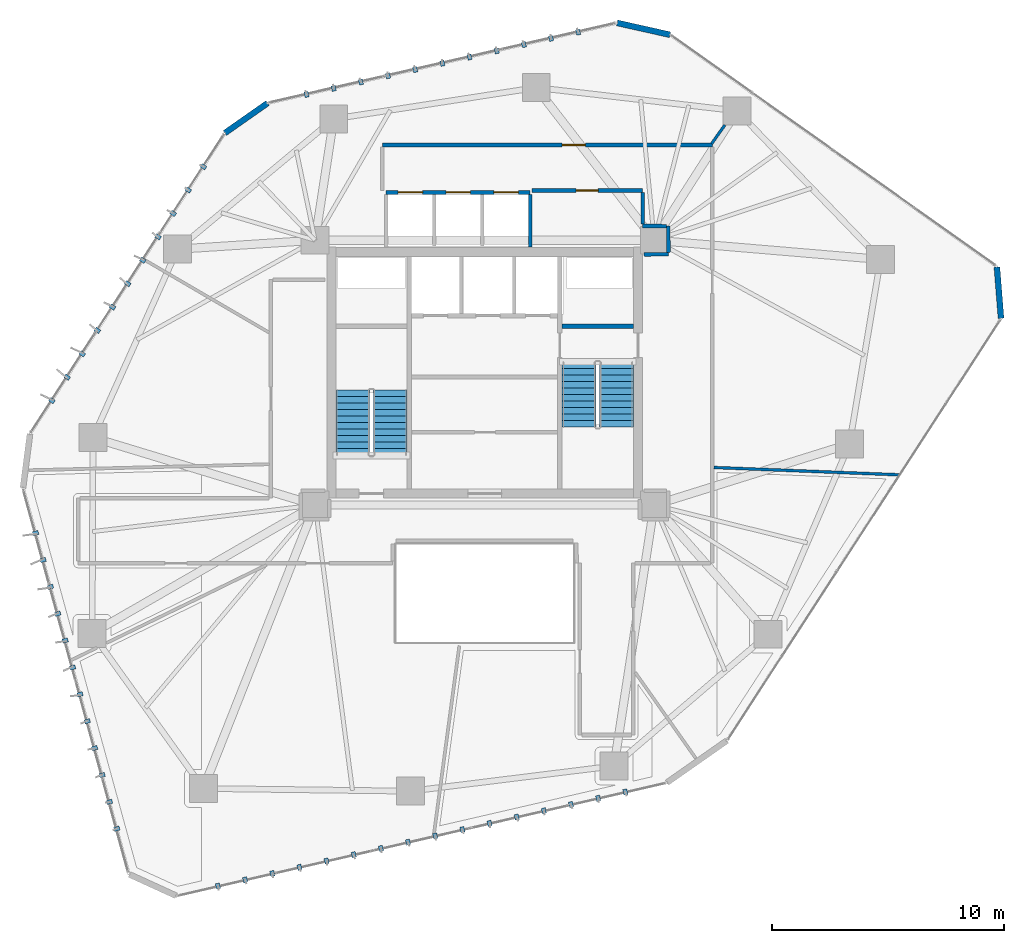
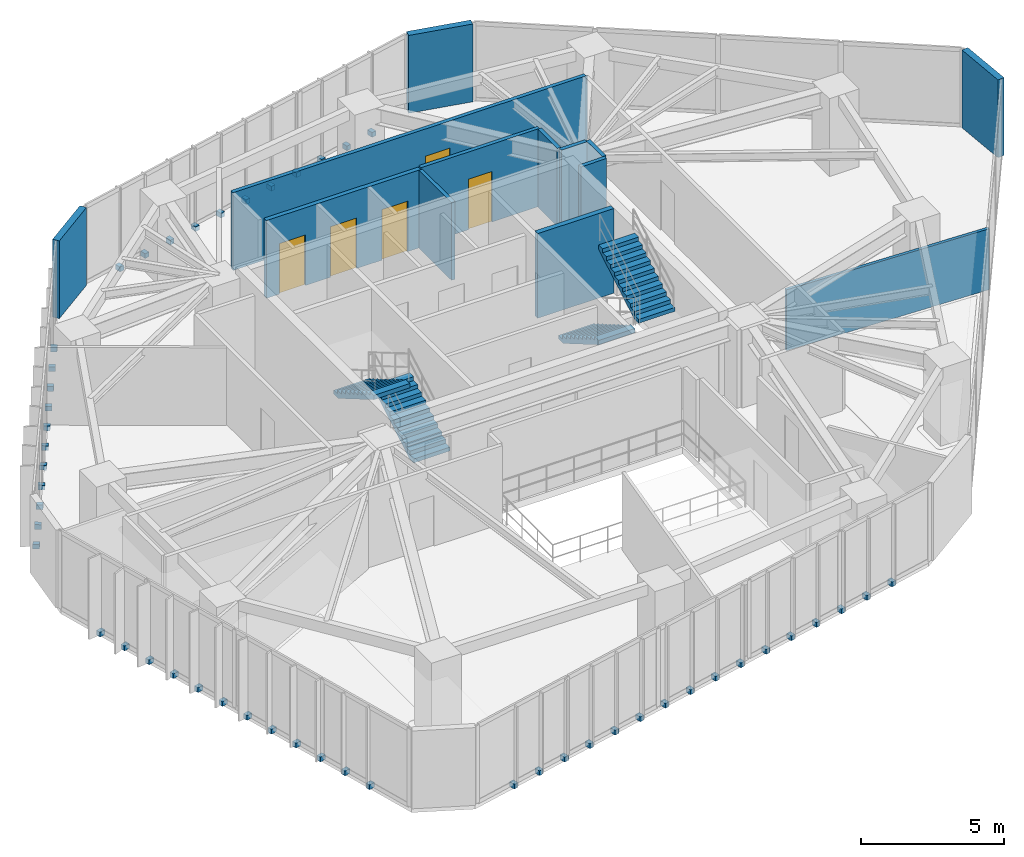
# One storey, part 18 of 21: 50 discrete accessories, 14 walls, 5 doors, 4 stair flights, 5 openings, 2 elements without a shape of their own.
"""IFC4 building model written with IfcOpenShell, lengths in metres."""

from ifc_helpers import new_model, si_unit, direction, frame, frame_2d, origin, origin_2d, place, context, subcontext, project, spatial, polyline, rectangle, outline, extrude, source, transform, mapped, material, layer, layer_set, type_object, type_shapes, element, fill, aggregate, save


model = new_model("IFC4")

# Units and contexts
model_context = context("Model", 3, precision=1e-05, world=origin(), true_north=direction((0.0, 1.0)))
body_context = subcontext(model_context, "Body", "Model", "MODEL_VIEW")
ifc_project = project(units=[si_unit("LENGTHUNIT", "METRE"), si_unit("AREAUNIT", "SQUARE_METRE"), si_unit("VOLUMEUNIT", "CUBIC_METRE"), si_unit("PLANEANGLEUNIT", "RADIAN"), si_unit("MASSUNIT", "GRAM", prefix="KILO")], contexts=[model_context])

# Site, building, storey
site_placement = place(None, origin())
site = spatial("IfcSite", under=ifc_project, at=site_placement, CompositionType="ELEMENT")
building_placement = place(site_placement, origin())
building = spatial("IfcBuilding", under=site, at=building_placement, Name="Talar Marvaseh", CompositionType="ELEMENT")
storey_placement = place(building_placement, frame((0.0, 0.0, 129.0)))
storey = spatial("IfcBuildingStorey", under=building, at=storey_placement, Name="L33", CompositionType="ELEMENT", Elevation=129.0)

# Walls
ifc_material_1 = material(Name="Precast concrete C45/55", Category="concrete")
ifc_layer_1 = layer(ifc_material_1, 0.2548828125)
ifc_layer_set_1 = layer_set([ifc_layer_1], Name="Precast concrete C45/55")
wall_type_1 = type_object("IfcWallType", Name="Chamfered Hexagonal Corner Pier Wall Z2 255", PredefinedType="SOLIDWALL", material=ifc_layer_set_1)
wall_1_placement = place(storey_placement, frame((14.815185546875, 41.5166015625, 0.0), z_axis=(0.0, 0.0, 1.0), x_axis=(0.819099063933, 0.573652092704, 0.0)))
element("IfcWall", 1, at=wall_1_placement, inside=storey, type_object=wall_type_1, Name="L33 Chamfered Corner Limestone Pier 3", PredefinedType="SOLIDWALL", context=body_context, shape_type="SweptSolid", body=[
    extrude(rectangle(XDim=2.244873046875, YDim=0.2548828125, at=frame_2d((1.12255859375, 0.0))), origin(), (0.0, 0.0, 1.0), 3.31005859375),
])
wall_2_placement = place(storey_placement, frame((31.701416015625, 46.258056640625, 0.0), z_axis=(0.0, 0.0, 1.0), x_axis=(0.975812598068, -0.218608722269, 0.0)))
element("IfcWall", 2, at=wall_2_placement, inside=storey, type_object=wall_type_1, Name="L33 Chamfered Corner Limestone Pier 4", PredefinedType="SOLIDWALL", context=body_context, shape_type="SweptSolid", body=[
    extrude(rectangle(XDim=2.3408203125, YDim=0.2548828125, at=frame_2d((1.17041015625, 0.0))), origin(), (0.0, 0.0, 1.0), 3.31005859375),
])
wall_3_placement = place(storey_placement, frame((48.054931640625, 35.7470703125, 0.0), z_axis=(0.0, 0.0, 1.0), x_axis=(0.079745222283, -0.996815278536, 0.0)))
element("IfcWall", 3, at=wall_3_placement, inside=storey, type_object=wall_type_1, Name="L33 Chamfered Corner Limestone Pier 5", PredefinedType="SOLIDWALL", context=body_context, shape_type="SweptSolid", body=[
    extrude(rectangle(XDim=2.216552734375, YDim=0.2548828125, at=frame_2d((1.1083984375, 0.0))), origin(), (0.0, 0.0, 1.0), 3.31005859375),
])

# Wall, opening, door
ifc_material_2 = material(Name="Gypsum Board Partition Assembly")
ifc_layer_2 = layer(ifc_material_2, 0.155029296875)
ifc_layer_set_2 = layer_set([ifc_layer_2], Name="Gypsum Board Partition Assembly")
wall_type_2 = type_object("IfcWallType", Name="Corridor Fire-Rated Acoustic Partition 155", PredefinedType="PARTITIONING", material=ifc_layer_set_2)
wall_4_placement = place(storey_placement, frame((32.800048828125, 39.0400390625, 0.0), z_axis=(0.0, 0.0, 1.0), x_axis=(-1.0, 0.0, 0.0)))
wall_4 = element("IfcWall", 4, at=wall_4_placement, inside=storey, type_object=wall_type_2, Name="L33 Interior Partition Wall", PredefinedType="PARTITIONING", context=body_context, shape_type="SweptSolid", body=[
    extrude(rectangle(XDim=4.77001953125, YDim=0.155029296875, at=frame_2d((2.385009765625, 0.0))), origin(), (0.0, 0.0, 1.0), 3.31005859375),
])
opening_1_placement = place(wall_4_placement, frame((1.909912109375, 0.0, 0.0)))
opening_1 = element("IfcOpeningElement", 5, at=opening_1_placement, cuts=wall_4, Name="Opening DR-WC095", PredefinedType="OPENING", context=body_context, shape_type="SweptSolid", body=[
    extrude(rectangle(XDim=0.949951171875, YDim=2.14990234375, at=frame_2d((0.47509765625, 1.074951171875))), frame((0.0, 0.08740234375, 0.0), z_axis=(0.0, -1.0, 0.0), x_axis=(1.0, 0.0, 0.0)), (0.0, 0.0, 1.0), 0.175048828125),
])
ifc_material_3 = material(Name="Acoustic Engineered Oak Timber", Category="wood")
door_type_1 = type_object("IfcDoorType", Name="Washroom and Service Room Door 950x2150", OperationType="NOTDEFINED", PredefinedType="DOOR", material=ifc_material_3)
shared_shape_1 = source(origin(), body_context, "Body", "SweptSolid", [
    extrude(rectangle(XDim=0.949951171875, YDim=2.14990234375, at=frame_2d((0.47509765625, 1.074951171875))), frame((0.0, 0.02490234375, 0.0), z_axis=(0.0, -1.0, 0.0), x_axis=(1.0, 0.0, 0.0)), (0.0, 0.0, 1.0), 0.050048828125),
])
type_shapes(door_type_1, [shared_shape_1])
door_1_placement = place(opening_1_placement, origin())
door_1 = element("IfcDoor", 6, at=door_1_placement, inside=storey, type_object=door_type_1, Name="L33 WC Public Washrooms Door", OperationType="SINGLE_SWING_LEFT", OverallHeight=2.14990234375, OverallWidth=0.949951171875, PredefinedType="DOOR", context=body_context, shape_type="MappedRepresentation", body=[
    mapped(shared_shape_1, transform((0.0, 0.0, 0.0), x_axis=(1.0, 0.0, 0.0), y_axis=(0.0, 1.0, 0.0), z_axis=(0.0, 0.0, 1.0), scale=1.0)),
])
fill(opening_1, door_1)

wall_5_placement = place(storey_placement, frame((21.60009765625, 41.0, 0.0), z_axis=(0.0, 0.0, 1.0), x_axis=(1.0, 0.0, 0.0)))
wall_5 = element("IfcWall", 7, at=wall_5_placement, inside=storey, type_object=wall_type_2, Name="L33 Interior Partition Wall", PredefinedType="PARTITIONING", context=body_context, shape_type="SweptSolid", body=[
    extrude(rectangle(XDim=14.199951171875, YDim=0.155029296875, at=frame_2d((7.10009765625, 0.0))), origin(), (0.0, 0.0, 1.0), 3.31005859375),
])
opening_2_placement = place(wall_5_placement, frame((7.736083984375, 0.0, 0.0)))
opening_2 = element("IfcOpeningElement", 8, at=opening_2_placement, cuts=wall_5, Name="Opening DR-RM100", PredefinedType="OPENING", context=body_context, shape_type="SweptSolid", body=[
    extrude(rectangle(XDim=1.0, YDim=2.14990234375, at=frame_2d((0.5, 1.074951171875))), frame((0.0, 0.08740234375, 0.0), z_axis=(0.0, -1.0, 0.0), x_axis=(1.0, 0.0, 0.0)), (0.0, 0.0, 1.0), 0.175048828125),
])
door_type_2 = type_object("IfcDoorType", Name="Corridor Fire-Rated Gallery Door 1000x2150", OperationType="NOTDEFINED", PredefinedType="DOOR", material=ifc_material_3)
shared_shape_2 = source(origin(), body_context, "Body", "SweptSolid", [
    extrude(rectangle(XDim=1.0, YDim=2.14990234375, at=frame_2d((0.5, 1.074951171875))), frame((0.0, 0.02490234375, 0.0), z_axis=(0.0, -1.0, 0.0), x_axis=(1.0, 0.0, 0.0)), (0.0, 0.0, 1.0), 0.050048828125),
])
type_shapes(door_type_2, [shared_shape_2])
door_2_placement = place(opening_2_placement, origin())
door_2 = element("IfcDoor", 9, at=door_2_placement, inside=storey, type_object=door_type_2, Name="L33 Cultural Fellowship Office Door", OperationType="SINGLE_SWING_RIGHT", OverallHeight=2.14990234375, OverallWidth=1.0, PredefinedType="DOOR", context=body_context, shape_type="MappedRepresentation", body=[
    mapped(shared_shape_2, transform((0.0, 0.0, 0.0), x_axis=(1.0, 0.0, 0.0), y_axis=(0.0, 1.0, 0.0), z_axis=(0.0, 0.0, 1.0), scale=1.0)),
])
fill(opening_2, door_2)

# Walls
wall_6_placement = place(storey_placement, frame((32.8701171875, 36.284912109375, 0.0), z_axis=(0.0, 0.0, 1.0), x_axis=(0.999895094683, 0.014484461652, 0.0)))
element("IfcWall", 10, at=wall_6_placement, inside=storey, type_object=wall_type_2, Name="L33 Interior Partition Wall", PredefinedType="PARTITIONING", context=body_context, shape_type="SweptSolid", body=[
    extrude(rectangle(XDim=1.044921875, YDim=0.155029296875, at=frame_2d((0.5224609375, 0.0))), origin(), (0.0, 0.0, 1.0), 3.31005859375),
])
wall_7_placement = place(storey_placement, frame((33.914794921875, 36.383544921875, 0.0), z_axis=(0.0, 0.0, 1.0), x_axis=(-0.003682817312, 0.999993218405, 0.0)))
element("IfcWall", 11, at=wall_7_placement, inside=storey, type_object=wall_type_2, Name="L33 Interior Partition Wall", PredefinedType="PARTITIONING", context=body_context, shape_type="SweptSolid", body=[
    extrude(rectangle(XDim=1.126953125, YDim=0.155029296875, at=frame_2d((0.5634765625, 0.0))), origin(), (0.0, 0.0, 1.0), 3.31005859375),
])
wall_8_placement = place(storey_placement, frame((33.8271484375, 37.510986328125, 0.0), z_axis=(0.0, 0.0, 1.0), x_axis=(-0.99999276797, 0.003803157663, 0.0)))
element("IfcWall", 12, at=wall_8_placement, inside=storey, type_object=wall_type_2, Name="L33 Interior Partition Wall", PredefinedType="PARTITIONING", context=body_context, shape_type="SweptSolid", body=[
    extrude(rectangle(XDim=1.027099609375, YDim=0.155029296875, at=frame_2d((0.513671875, 0.0))), origin(), (0.0, 0.0, 1.0), 3.31005859375),
])
wall_9_placement = place(storey_placement, frame((32.800048828125, 37.598388671875, 0.0), z_axis=(0.0, 0.0, 1.0), x_axis=(0.0, 1.0, 0.0)))
element("IfcWall", 13, at=wall_9_placement, inside=storey, type_object=wall_type_2, Name="L33 Interior Partition Wall", PredefinedType="PARTITIONING", context=body_context, shape_type="SweptSolid", body=[
    extrude(rectangle(XDim=1.358154296875, YDim=0.155029296875, at=frame_2d((0.67919921875, 0.0))), origin(), (0.0, 0.0, 1.0), 3.31005859375),
])
ifc_layer_3 = layer(ifc_material_2, 0.1201171875)
ifc_layer_set_3 = layer_set([ifc_layer_3], Name="Gypsum Board Partition Assembly")
wall_type_3 = type_object("IfcWallType", Name="Demountable Studio Room Partition 120", PredefinedType="PARTITIONING", material=ifc_layer_set_3)
wall_10_placement = place(storey_placement, frame((35.864990234375, 27.117431640625, 0.0), z_axis=(0.0, 0.0, 1.0), x_axis=(0.999219745317, -0.039495576558, 0.0)))
element("IfcWall", 14, at=wall_10_placement, inside=storey, type_object=wall_type_3, Name="L33 Interior Partition Wall", PredefinedType="PARTITIONING", context=body_context, shape_type="SweptSolid", body=[
    extrude(rectangle(XDim=7.986572265625, YDim=0.1201171875, at=frame_2d((3.9931640625, 0.0))), origin(), (0.0, 0.0, 1.0), 2.590087890625),
])
wall_11_placement = place(storey_placement, frame((35.767578125, 41.052978515625, 0.0), z_axis=(0.0, 0.0, 1.0), x_axis=(0.578551152371, 0.815646102234, 0.0)))
element("IfcWall", 15, at=wall_11_placement, inside=storey, type_object=wall_type_3, Name="L33 Interior Partition Wall", PredefinedType="PARTITIONING", context=body_context, shape_type="SweptSolid", body=[
    extrude(rectangle(XDim=0.989501953125, YDim=0.1201171875, at=frame_2d((0.49462890625, 0.0))), origin(), (0.0, 0.0, 1.0), 2.590087890625),
])
ifc_layer_4 = layer(ifc_material_1, 0.14501953125)
ifc_layer_set_4 = layer_set([ifc_layer_4], Name="Precast concrete C45/55")
wall_type_4 = type_object("IfcWallType", Name="Fire-Rated Lift Divider Wall 145", PredefinedType="SOLIDWALL", material=ifc_layer_set_4)
wall_12_placement = place(storey_placement, frame((27.9599609375, 36.60009765625, 0.0), z_axis=(0.0, 0.0, 1.0), x_axis=(0.0, 1.0, 0.0)))
element("IfcWall", 16, at=wall_12_placement, inside=storey, type_object=wall_type_4, Name="L33 Low-Rise Bank East Wall", PredefinedType="SOLIDWALL", context=body_context, shape_type="SweptSolid", body=[
    extrude(rectangle(XDim=2.266357421875, YDim=0.14501953125, at=frame_2d((1.13330078125, 0.0))), origin(), (0.0, 0.0, 1.0), 3.31005859375),
])

# Wall, openings, doors
ifc_layer_5 = layer(ifc_material_1, 0.175048828125)
ifc_layer_set_5 = layer_set([ifc_layer_5], Name="Precast concrete C45/55")
wall_type_5 = type_object("IfcWallType", Name="Fire-Rated Lift Hoistway Enclosure Wall 175", PredefinedType="SOLIDWALL", material=ifc_layer_set_5)
wall_13_placement = place(storey_placement, frame((21.760009765625, 38.9599609375, 0.0), z_axis=(0.0, 0.0, 1.0), x_axis=(1.0, 0.0, 0.0)))
wall_13 = element("IfcWall", 17, at=wall_13_placement, inside=storey, type_object=wall_type_5, Name="L33 Low-Rise Lift Bank Front Wall", PredefinedType="SOLIDWALL", context=body_context, shape_type="SweptSolid", body=[
    extrude(rectangle(XDim=6.199951171875, YDim=0.175048828125, at=frame_2d((3.10009765625, 0.0))), origin(), (0.0, 0.0, 1.0), 3.31005859375),
])
opening_3_placement = place(wall_13_placement, frame((0.52001953125, 0.0, 0.0)))
opening_3 = element("IfcOpeningElement", 18, at=opening_3_placement, cuts=wall_13, Name="Opening LD-PLL1", PredefinedType="OPENING", context=body_context, shape_type="SweptSolid", body=[
    extrude(rectangle(XDim=1.050048828125, YDim=2.14990234375, at=frame_2d((0.52490234375, 1.074951171875))), frame((0.0, 0.09765625, 0.0), z_axis=(0.0, -1.0, 0.0), x_axis=(1.0, 0.0, 0.0)), (0.0, 0.0, 1.0), 0.195068359375),
])
opening_4_placement = place(wall_13_placement, frame((2.580078125, 0.0, 0.0)))
opening_4 = element("IfcOpeningElement", 19, at=opening_4_placement, cuts=wall_13, Name="Opening LD-PLL2", PredefinedType="OPENING", context=body_context, shape_type="SweptSolid", body=[
    extrude(rectangle(XDim=1.050048828125, YDim=2.14990234375, at=frame_2d((0.52490234375, 1.074951171875))), frame((0.0, 0.09765625, 0.0), z_axis=(0.0, -1.0, 0.0), x_axis=(1.0, 0.0, 0.0)), (0.0, 0.0, 1.0), 0.195068359375),
])
opening_5_placement = place(wall_13_placement, frame((4.639892578125, 0.0, 0.0)))
opening_5 = element("IfcOpeningElement", 20, at=opening_5_placement, cuts=wall_13, Name="Opening LD-PLL3", PredefinedType="OPENING", context=body_context, shape_type="SweptSolid", body=[
    extrude(rectangle(XDim=1.050048828125, YDim=2.14990234375, at=frame_2d((0.52490234375, 1.074951171875))), frame((0.0, 0.09765625, 0.0), z_axis=(0.0, -1.0, 0.0), x_axis=(1.0, 0.0, 0.0)), (0.0, 0.0, 1.0), 0.195068359375),
])
ifc_material_4 = material(Name="Stainless Steel Grade 316", Category="steel")
door_type_3 = type_object("IfcDoorType", Name="Automatic Sliding Lift Landing Door 1050x2150", OperationType="NOTDEFINED", PredefinedType="DOOR", material=ifc_material_4)
shared_shape_3 = source(origin(), body_context, "Body", "SweptSolid", [
    extrude(rectangle(XDim=1.050048828125, YDim=2.14990234375, at=frame_2d((0.52490234375, 1.074951171875))), frame((0.0, 0.02490234375, 0.0), z_axis=(0.0, -1.0, 0.0), x_axis=(1.0, 0.0, 0.0)), (0.0, 0.0, 1.0), 0.050048828125),
])
type_shapes(door_type_3, [shared_shape_3])
door_3_placement = place(opening_3_placement, origin())
door_3 = element("IfcDoor", 21, at=door_3_placement, inside=storey, type_object=door_type_3, Name="L33 Lift PL-L1 Sliding Landing Door", OperationType="SLIDING_TO_LEFT", OverallHeight=2.14990234375, OverallWidth=1.050048828125, PredefinedType="DOOR", context=body_context, shape_type="MappedRepresentation", body=[
    mapped(shared_shape_3, transform((0.0, 0.0, 0.0), x_axis=(1.0, 0.0, 0.0), y_axis=(0.0, 1.0, 0.0), z_axis=(0.0, 0.0, 1.0), scale=1.0)),
])
fill(opening_3, door_3)
door_4_placement = place(opening_4_placement, origin())
door_4 = element("IfcDoor", 22, at=door_4_placement, inside=storey, type_object=door_type_3, Name="L33 Lift PL-L2 Sliding Landing Door", OperationType="SLIDING_TO_LEFT", OverallHeight=2.14990234375, OverallWidth=1.050048828125, PredefinedType="DOOR", context=body_context, shape_type="MappedRepresentation", body=[
    mapped(shared_shape_3, transform((0.0, 0.0, 0.0), x_axis=(1.0, 0.0, 0.0), y_axis=(0.0, 1.0, 0.0), z_axis=(0.0, 0.0, 1.0), scale=1.0)),
])
fill(opening_4, door_4)
door_5_placement = place(opening_5_placement, origin())
door_5 = element("IfcDoor", 23, at=door_5_placement, inside=storey, type_object=door_type_3, Name="L33 Lift PL-L3 Sliding Landing Door", OperationType="SLIDING_TO_LEFT", OverallHeight=2.14990234375, OverallWidth=1.050048828125, PredefinedType="DOOR", context=body_context, shape_type="MappedRepresentation", body=[
    mapped(shared_shape_3, transform((0.0, 0.0, 0.0), x_axis=(1.0, 0.0, 0.0), y_axis=(0.0, 1.0, 0.0), z_axis=(0.0, 0.0, 1.0), scale=1.0)),
])
fill(opening_5, door_5)

# Wall
ifc_material_5 = material(Name="Concrete C50/60", Category="concrete")
ifc_layer_6 = layer(ifc_material_5, 0.199951171875)
ifc_layer_set_6 = layer_set([ifc_layer_6], Name="Concrete C50/60")
wall_type_6 = type_object("IfcWallType", Name="Stair Shaft Structural Concrete Shear Wall 200", PredefinedType="SHEAR", material=ifc_layer_set_6)
wall_14_placement = place(storey_placement, frame((29.340087890625, 33.199951171875, 0.0), z_axis=(0.0, 0.0, 1.0), x_axis=(1.0, 0.0, 0.0)))
element("IfcWall", 24, at=wall_14_placement, inside=storey, type_object=wall_type_6, Name="L33 Stair ST-2 North Shear Wall", PredefinedType="SHEAR", context=body_context, shape_type="SweptSolid", body=[
    extrude(rectangle(XDim=3.059814453125, YDim=0.199951171875, at=frame_2d((1.52978515625, 0.0))), origin(), (0.0, 0.0, 1.0), 3.60009765625),
])

# Stair, stair flights
ifc_material_6 = material(Name="Concrete C40/50", Category="concrete")
stair_type = type_object("IfcStairType", Name="Reinforced Concrete Half-Turn Exit Stair Type B", PredefinedType="HALF_TURN_STAIR", material=ifc_material_6)
stair_1_placement = place(storey_placement, origin())
stair_1 = element("IfcStair", 25, at=stair_1_placement, inside=storey, type_object=stair_type, Name="L33 Tower West Core Exit Stair", PredefinedType="HALF_TURN_STAIR")
ifc_layer_7 = layer(ifc_material_6, 0.159912109375)
ifc_layer_set_7 = layer_set([ifc_layer_7], Name="Concrete C40/50")
stair_flight_type = type_object("IfcStairFlightType", Name="Reinforced Concrete Straight Stair Flight 160", PredefinedType="STRAIGHT", material=ifc_layer_set_7)
stair_flight_1_placement = place(storey_placement, frame((21.93505859375, 27.64990234375, 0.0), z_axis=(0.0, 0.0, 1.0), x_axis=(0.0, 1.0, 0.0)))
stair_flight_1 = element("IfcStairFlight", 26, at=stair_flight_1_placement, type_object=stair_flight_type, Name="ST-1 flight 1", NumberOfRisers=11, NumberOfTreads=10, PredefinedType="STRAIGHT", RiserHeight=0.163636364, TreadLength=0.28, context=body_context, shape_type="SweptSolid", body=[
    extrude(outline(polyline([(0.0, 0.0), (0.0, 0.16357421875), (0.280029296875, 0.16357421875), (0.280029296875, 0.327392578125), (0.56005859375, 0.327392578125), (0.56005859375, 0.490966796875), (0.840087890625, 0.490966796875), (0.840087890625, 0.654541015625), (1.1201171875, 0.654541015625), (1.1201171875, 0.818115234375), (1.39990234375, 0.818115234375), (1.39990234375, 0.98193359375), (1.679931640625, 0.98193359375), (1.679931640625, 1.1455078125), (1.9599609375, 1.1455078125), (1.9599609375, 1.30908203125), (2.239990234375, 1.30908203125), (2.239990234375, 1.47265625), (2.52001953125, 1.47265625), (2.52001953125, 1.636474609375), (2.800048828125, 1.636474609375), (2.800048828125, 1.800048828125), (2.800048828125, 1.451171875), (0.31689453125, 0.0), (0.0, 0.0)])), frame((0.0, 0.72509765625, 0.0), z_axis=(0.0, -1.0, 0.0), x_axis=(1.0, 0.0, 0.0)), (0.0, 0.0, 1.0), 1.449951171875),
])
stair_flight_2_placement = place(storey_placement, frame((20.324951171875, 30.449951171875, 1.800048828125), z_axis=(0.0, 0.0, 1.0), x_axis=(0.0, -1.0, 0.0)))
stair_flight_2 = element("IfcStairFlight", 27, at=stair_flight_2_placement, type_object=stair_flight_type, Name="ST-1 flight 2", NumberOfRisers=11, NumberOfTreads=10, PredefinedType="STRAIGHT", RiserHeight=0.163636364, TreadLength=0.28, context=body_context, shape_type="SweptSolid", body=[
    extrude(outline(polyline([(0.0, 0.0), (0.0, 0.16357421875), (0.280029296875, 0.16357421875), (0.280029296875, 0.327392578125), (0.56005859375, 0.327392578125), (0.56005859375, 0.490966796875), (0.840087890625, 0.490966796875), (0.840087890625, 0.654541015625), (1.1201171875, 0.654541015625), (1.1201171875, 0.818115234375), (1.39990234375, 0.818115234375), (1.39990234375, 0.98193359375), (1.679931640625, 0.98193359375), (1.679931640625, 1.1455078125), (1.9599609375, 1.1455078125), (1.9599609375, 1.30908203125), (2.239990234375, 1.30908203125), (2.239990234375, 1.47265625), (2.52001953125, 1.47265625), (2.52001953125, 1.636474609375), (2.800048828125, 1.636474609375), (2.800048828125, 1.800048828125), (2.800048828125, 1.451171875), (0.31689453125, 0.0), (0.0, 0.0)])), frame((0.0, 0.72509765625, 0.0), z_axis=(0.0, -1.0, 0.0), x_axis=(1.0, 0.0, 0.0)), (0.0, 0.0, 1.0), 1.449951171875),
])
aggregate(stair_1, [stair_flight_1, stair_flight_2])

stair_2_placement = place(storey_placement, origin())
stair_2 = element("IfcStair", 28, at=stair_2_placement, inside=storey, type_object=stair_type, Name="L33 Tower East Core Exit Stair", PredefinedType="HALF_TURN_STAIR")
stair_flight_3_placement = place(storey_placement, frame((30.06494140625, 31.64990234375, 0.0), z_axis=(0.0, 0.0, 1.0), x_axis=(0.0, -1.0, 0.0)))
stair_flight_3 = element("IfcStairFlight", 29, at=stair_flight_3_placement, type_object=stair_flight_type, Name="ST-2 flight 1", NumberOfRisers=11, NumberOfTreads=10, PredefinedType="STRAIGHT", RiserHeight=0.163636364, TreadLength=0.28, context=body_context, shape_type="SweptSolid", body=[
    extrude(outline(polyline([(0.0, 0.0), (0.0, 0.16357421875), (0.280029296875, 0.16357421875), (0.280029296875, 0.327392578125), (0.56005859375, 0.327392578125), (0.56005859375, 0.490966796875), (0.840087890625, 0.490966796875), (0.840087890625, 0.654541015625), (1.1201171875, 0.654541015625), (1.1201171875, 0.818115234375), (1.39990234375, 0.818115234375), (1.39990234375, 0.98193359375), (1.679931640625, 0.98193359375), (1.679931640625, 1.1455078125), (1.9599609375, 1.1455078125), (1.9599609375, 1.30908203125), (2.239990234375, 1.30908203125), (2.239990234375, 1.47265625), (2.52001953125, 1.47265625), (2.52001953125, 1.636474609375), (2.800048828125, 1.636474609375), (2.800048828125, 1.800048828125), (2.800048828125, 1.451171875), (0.31689453125, 0.0), (0.0, 0.0)])), frame((0.0, 0.72509765625, 0.0), z_axis=(0.0, -1.0, 0.0), x_axis=(1.0, 0.0, 0.0)), (0.0, 0.0, 1.0), 1.449951171875),
])
stair_flight_4_placement = place(storey_placement, frame((31.675048828125, 28.85009765625, 1.800048828125), z_axis=(0.0, 0.0, 1.0), x_axis=(0.0, 1.0, 0.0)))
stair_flight_4 = element("IfcStairFlight", 30, at=stair_flight_4_placement, type_object=stair_flight_type, Name="ST-2 flight 2", NumberOfRisers=11, NumberOfTreads=10, PredefinedType="STRAIGHT", RiserHeight=0.163636364, TreadLength=0.28, context=body_context, shape_type="SweptSolid", body=[
    extrude(outline(polyline([(0.0, 0.0), (0.0, 0.16357421875), (0.280029296875, 0.16357421875), (0.280029296875, 0.327392578125), (0.56005859375, 0.327392578125), (0.56005859375, 0.490966796875), (0.840087890625, 0.490966796875), (0.840087890625, 0.654541015625), (1.1201171875, 0.654541015625), (1.1201171875, 0.818115234375), (1.39990234375, 0.818115234375), (1.39990234375, 0.98193359375), (1.679931640625, 0.98193359375), (1.679931640625, 1.1455078125), (1.9599609375, 1.1455078125), (1.9599609375, 1.30908203125), (2.239990234375, 1.30908203125), (2.239990234375, 1.47265625), (2.52001953125, 1.47265625), (2.52001953125, 1.636474609375), (2.800048828125, 1.636474609375), (2.800048828125, 1.800048828125), (2.800048828125, 1.451171875), (0.31689453125, 0.0), (0.0, 0.0)])), frame((0.0, 0.72509765625, 0.0), z_axis=(0.0, -1.0, 0.0), x_axis=(1.0, 0.0, 0.0)), (0.0, 0.0, 1.0), 1.449951171875),
])
aggregate(stair_2, [stair_flight_3, stair_flight_4])

# Discrete accessories
discrete_accessory_type = type_object("IfcDiscreteAccessoryType", Name="Stainless Slab-Edge Fin Mounting Bracket", PredefinedType="BRACKET", material=ifc_material_4)
shared_shape_4 = source(origin(), body_context, "Body", "SweptSolid", [
    extrude(rectangle(XDim=0.239990234375, YDim=0.179931640625, at=origin_2d()), origin(), (0.0, 0.0, 1.0), 0.199951171875),
])
type_shapes(discrete_accessory_type, [shared_shape_4])
for number, where, z_axis, x_axis, name in (
    (31, (10.165283203125, 11.564208984375, -0.18017578125), (0.0, 0.0, 1.0), (-0.964326778534, -0.264714684522, 0.0), "L33 Vertical Fin Slab-Edge Bracket"),
    (32, (9.84765625, 12.721435546875, -0.18017578125), (0.0, 0.0, 1.0), (-0.964326778534, -0.264714684522, 0.0), "L33 Vertical Fin Slab-Edge Bracket"),
    (33, (9.530029296875, 13.87890625, -0.18017578125), (0.0, 0.0, 1.0), (-0.964326778534, -0.264714684522, 0.0), "L33 Vertical Fin Slab-Edge Bracket"),
    (34, (9.21240234375, 15.035888671875, -0.18017578125), (0.0, 0.0, 1.0), (-0.964326778534, -0.264714684522, 0.0), "L33 Vertical Fin Slab-Edge Bracket"),
    (35, (8.89501953125, 16.193115234375, -0.18017578125), (0.0, 0.0, 1.0), (-0.964326778534, -0.264714684522, 0.0), "L33 Vertical Fin Slab-Edge Bracket"),
    (36, (8.577392578125, 17.350341796875, -0.18017578125), (0.0, 0.0, 1.0), (-0.964326778534, -0.264714684522, 0.0), "L33 Vertical Fin Slab-Edge Bracket"),
    (37, (8.259765625, 18.507568359375, -0.18017578125), (0.0, 0.0, 1.0), (-0.964326778534, -0.264714684522, 0.0), "L33 Vertical Fin Slab-Edge Bracket"),
    (38, (7.942138671875, 19.664794921875, -0.18017578125), (0.0, 0.0, 1.0), (-0.964326778534, -0.264714684522, 0.0), "L33 Vertical Fin Slab-Edge Bracket"),
    (39, (7.62451171875, 20.822021484375, -0.18017578125), (0.0, 0.0, 1.0), (-0.964326778534, -0.264714684522, 0.0), "L33 Vertical Fin Slab-Edge Bracket"),
    (40, (7.30712890625, 21.979248046875, -0.18017578125), (0.0, 0.0, 1.0), (-0.964326778534, -0.264714684522, 0.0), "L33 Vertical Fin Slab-Edge Bracket"),
    (41, (6.989501953125, 23.136474609375, -0.18017578125), (0.0, 0.0, 1.0), (-0.964326778534, -0.264714684522, 0.0), "L33 Vertical Fin Slab-Edge Bracket"),
    (42, (6.671875, 24.293701171875, -0.18017578125), (0.0, 0.0, 1.0), (-0.964326778534, -0.264714684522, 0.0), "L33 Vertical Fin Slab-Edge Bracket"),
    (43, (7.37060546875, 29.994873046875, -0.18017578125), (0.0, 0.0, 1.0), (-0.839335343977, 0.543613999406, 0.0), "L33 Vertical Fin Slab-Edge Bracket"),
    (44, (8.02294921875, 31.001953125, -0.18017578125), (0.0, 0.0, 1.0), (-0.839335343977, 0.543613999406, 0.0), "L33 Vertical Fin Slab-Edge Bracket"),
    (45, (8.67529296875, 32.00927734375, -0.18017578125), (0.0, 0.0, 1.0), (-0.839335343977, 0.543613999406, 0.0), "L33 Vertical Fin Slab-Edge Bracket"),
    (46, (9.327880859375, 33.016357421875, -0.18017578125), (0.0, 0.0, 1.0), (-0.839335343977, 0.543613999406, 0.0), "L33 Vertical Fin Slab-Edge Bracket"),
    (47, (9.980224609375, 34.023681640625, -0.18017578125), (0.0, 0.0, 1.0), (-0.839335343977, 0.543613999406, 0.0), "L33 Vertical Fin Slab-Edge Bracket"),
    (48, (10.632568359375, 35.03076171875, -0.18017578125), (0.0, 0.0, 1.0), (-0.839335343977, 0.543613999406, 0.0), "L33 Vertical Fin Slab-Edge Bracket"),
    (49, (11.284912109375, 36.037841796875, -0.18017578125), (0.0, 0.0, 1.0), (-0.839335343977, 0.543613999406, 0.0), "L33 Vertical Fin Slab-Edge Bracket"),
    (50, (11.937255859375, 37.045166015625, -0.18017578125), (0.0, 0.0, 1.0), (-0.839335343977, 0.543613999406, 0.0), "L33 Vertical Fin Slab-Edge Bracket"),
    (51, (12.589599609375, 38.05224609375, -0.18017578125), (0.0, 0.0, 1.0), (-0.839335343977, 0.543613999406, 0.0), "L33 Vertical Fin Slab-Edge Bracket"),
    (52, (13.241943359375, 39.0595703125, -0.18017578125), (0.0, 0.0, 1.0), (-0.839335343977, 0.543613999406, 0.0), "L33 Vertical Fin Slab-Edge Bracket"),
    (53, (13.894287109375, 40.066650390625, -0.18017578125), (0.0, 0.0, 1.0), (-0.839335343977, 0.543613999406, 0.0), "L33 Vertical Fin Slab-Edge Bracket"),
    (54, (18.33154296875, 43.173583984375, -0.18017578125), (0.0, 0.0, 1.0), (-0.223760469153, 0.974644167091, 0.0), "L33 Vertical Fin Slab-Edge Bracket"),
    (55, (19.501220703125, 43.442138671875, -0.18017578125), (0.0, 0.0, 1.0), (-0.223760469153, 0.974644167091, 0.0), "L33 Vertical Fin Slab-Edge Bracket"),
    (56, (20.6708984375, 43.710693359375, -0.18017578125), (0.0, 0.0, 1.0), (-0.223760469153, 0.974644167091, 0.0), "L33 Vertical Fin Slab-Edge Bracket"),
    (57, (21.84033203125, 43.979248046875, -0.18017578125), (0.0, 0.0, 1.0), (-0.223760469153, 0.974644167091, 0.0), "L33 Vertical Fin Slab-Edge Bracket"),
    (58, (23.010009765625, 44.247802734375, -0.18017578125), (0.0, 0.0, 1.0), (-0.223760469153, 0.974644167091, 0.0), "L33 Vertical Fin Slab-Edge Bracket"),
    (59, (24.179443359375, 44.516357421875, -0.18017578125), (0.0, 0.0, 1.0), (-0.223760469153, 0.974644167091, 0.0), "L33 Vertical Fin Slab-Edge Bracket"),
    (60, (25.34912109375, 44.784912109375, -0.18017578125), (0.0, 0.0, 1.0), (-0.223760469153, 0.974644167091, 0.0), "L33 Vertical Fin Slab-Edge Bracket"),
    (61, (26.5185546875, 45.053466796875, -0.18017578125), (0.0, 0.0, 1.0), (-0.223760469153, 0.974644167091, 0.0), "L33 Vertical Fin Slab-Edge Bracket"),
    (62, (27.68798828125, 45.322021484375, -0.18017578125), (0.0, 0.0, 1.0), (-0.223760469153, 0.974644167091, 0.0), "L33 Vertical Fin Slab-Edge Bracket"),
    (63, (28.857666015625, 45.590576171875, -0.18017578125), (0.0, 0.0, 1.0), (-0.223760469153, 0.974644167091, 0.0), "L33 Vertical Fin Slab-Edge Bracket"),
    (64, (30.02734375, 45.859130859375, -0.18017578125), (0.0, 0.0, 1.0), (-0.223760469153, 0.974644167091, 0.0), "L33 Vertical Fin Slab-Edge Bracket"),
    (65, (32.057373046875, 13.148681640625, -0.18017578125), (0.0, 0.0, 1.0), (0.225121110574, -0.974330788579, 0.0), "L33 Vertical Fin Slab-Edge Bracket"),
    (66, (30.88818359375, 12.87841796875, -0.18017578125), (0.0, 0.0, 1.0), (0.225121110574, -0.974330788579, 0.0), "L33 Vertical Fin Slab-Edge Bracket"),
    (67, (29.718994140625, 12.6083984375, -0.18017578125), (0.0, 0.0, 1.0), (0.225121110574, -0.974330788579, 0.0), "L33 Vertical Fin Slab-Edge Bracket"),
    (68, (28.5498046875, 12.338134765625, -0.18017578125), (0.0, 0.0, 1.0), (0.225121110574, -0.974330788579, 0.0), "L33 Vertical Fin Slab-Edge Bracket"),
    (69, (27.380615234375, 12.068115234375, -0.18017578125), (0.0, 0.0, 1.0), (0.225121110574, -0.974330788579, 0.0), "L33 Vertical Fin Slab-Edge Bracket"),
    (70, (26.211181640625, 11.7978515625, -0.18017578125), (0.0, 0.0, 1.0), (0.225121110574, -0.974330788579, 0.0), "L33 Vertical Fin Slab-Edge Bracket"),
    (71, (25.0419921875, 11.52783203125, -0.18017578125), (0.0, 0.0, 1.0), (0.225121110574, -0.974330788579, 0.0), "L33 Vertical Fin Slab-Edge Bracket"),
    (72, (23.872802734375, 11.2578125, -0.18017578125), (0.0, 0.0, 1.0), (0.225121110574, -0.974330788579, 0.0), "L33 Vertical Fin Slab-Edge Bracket"),
    (73, (22.70361328125, 10.987548828125, -0.18017578125), (0.0, 0.0, 1.0), (0.225121110574, -0.974330788579, 0.0), "L33 Vertical Fin Slab-Edge Bracket"),
    (74, (21.534423828125, 10.71728515625, -0.18017578125), (0.0, 0.0, 1.0), (0.225121110574, -0.974330788579, 0.0), "L33 Vertical Fin Slab-Edge Bracket"),
    (75, (20.365234375, 10.447265625, -0.18017578125), (0.0, 0.0, 1.0), (0.225121110574, -0.974330788579, 0.0), "L33 Vertical Fin Slab-Edge Bracket"),
    (76, (19.196044921875, 10.17724609375, -0.18017578125), (0.0, 0.0, 1.0), (0.225121110574, -0.974330788579, 0.0), "L33 Vertical Fin Slab-Edge Bracket"),
    (77, (18.02685546875, 9.906982421875, -0.18017578125), (0.0, 0.0, 1.0), (0.225121110574, -0.974330788579, 0.0), "L33 Vertical Fin Slab-Edge Bracket"),
    (78, (16.857666015625, 9.636962890625, -0.18017578125), (0.0, 0.0, 1.0), (0.225121110574, -0.974330788579, 0.0), "L33 Vertical Fin Slab-Edge Bracket"),
    (79, (15.6884765625, 9.36669921875, -0.18017578125), (0.0, 0.0, 1.0), (0.225121110574, -0.974330788579, 0.0), "L33 Vertical Fin Slab-Edge Bracket"),
    (80, (14.519287109375, 9.0966796875, -0.18017578125), (0.0, 0.0, 1.0), (0.225121110574, -0.974330788579, 0.0), "L33 Vertical Fin Slab-Edge Bracket"),
):
    element("IfcDiscreteAccessory", number, at=place(storey_placement, frame(where, z_axis=z_axis, x_axis=x_axis)), inside=storey, type_object=discrete_accessory_type, Name=name, PredefinedType="BRACKET", context=body_context, shape_type="MappedRepresentation", body=[
        mapped(shared_shape_4, transform((0.0, 0.0, 0.0), x_axis=(1.0, 0.0, 0.0), y_axis=(0.0, 1.0, 0.0), z_axis=(0.0, 0.0, 1.0), scale=1.0)),
    ])

save(model, "model.ifc")
